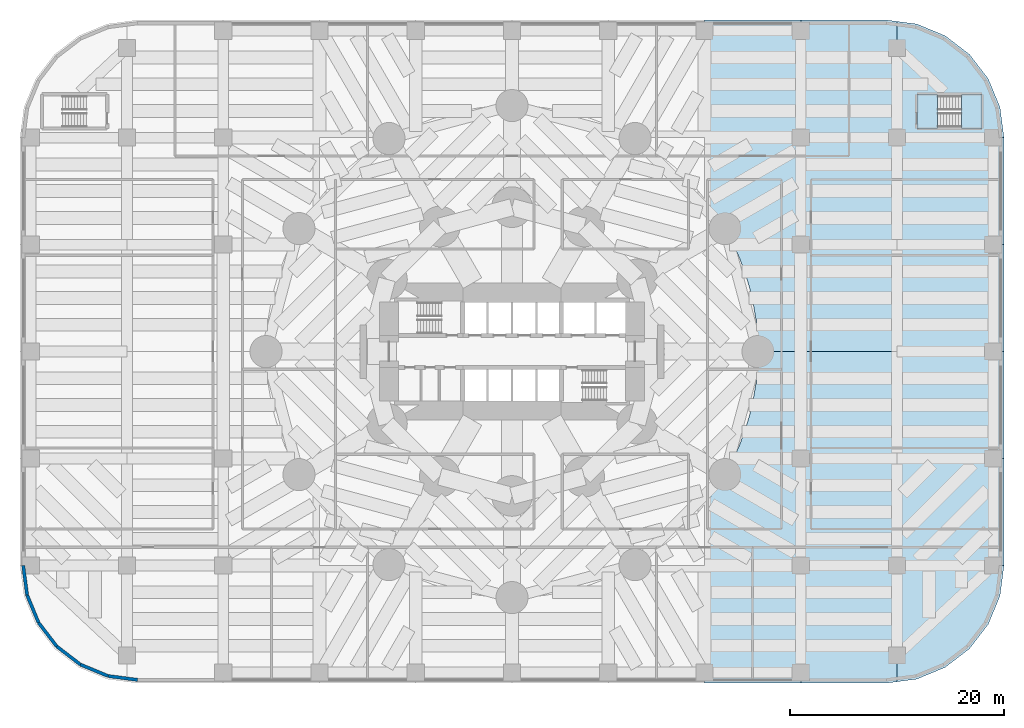
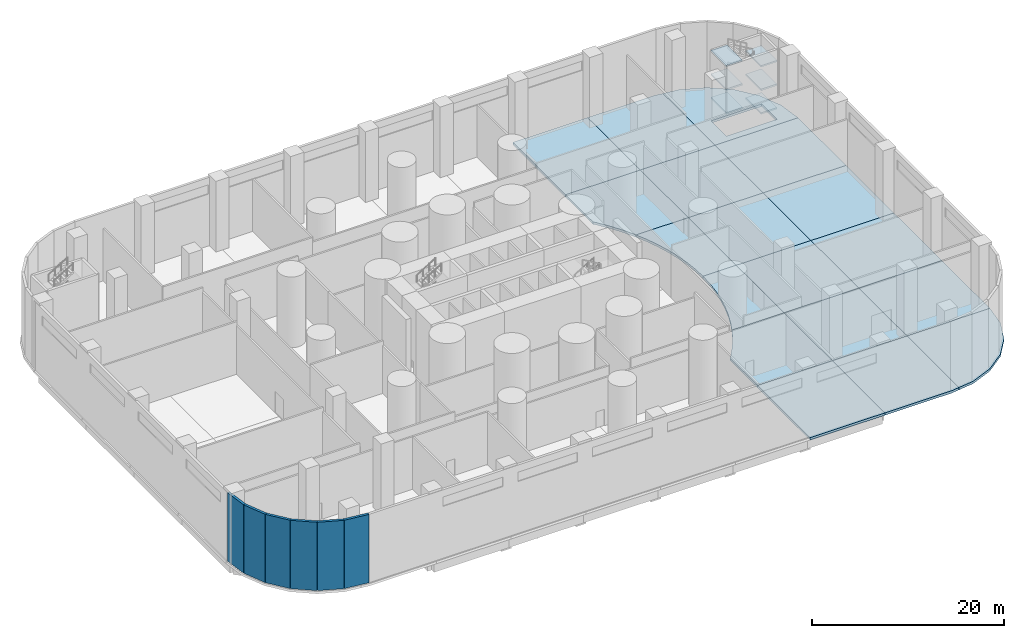
# One storey, part 6 of 13: 24 slabs, 6 walls, 1 element without a shape of its own.
"""IFC4 building model written with IfcOpenShell, lengths in metres."""

from ifc_helpers import new_model, si_unit, direction, frame, frame_2d, origin, place, context, subcontext, project, spatial, polyline, rectangle, outline, extrude, material, layer, layer_set, type_object, element, aggregate, save


model = new_model("IFC4")

# Units and contexts
model_context = context("Model", 3, precision=1e-05, world=origin(), true_north=direction((0.0, 1.0)))
body_context = subcontext(model_context, "Body", "Model", "MODEL_VIEW")
ifc_project = project(units=[si_unit("LENGTHUNIT", "METRE"), si_unit("AREAUNIT", "SQUARE_METRE"), si_unit("VOLUMEUNIT", "CUBIC_METRE"), si_unit("PLANEANGLEUNIT", "RADIAN"), si_unit("MASSUNIT", "GRAM", prefix="KILO")], contexts=[model_context])

# Site, building, storey
site_placement = place(None, origin())
site = spatial("IfcSite", under=ifc_project, at=site_placement, CompositionType="ELEMENT")
building_placement = place(site_placement, origin())
building = spatial("IfcBuilding", under=site, at=building_placement, Name="Qaws Media Tower", CompositionType="ELEMENT")
storey_placement = place(building_placement, frame((0.0, 0.0, 6.0)))
storey = spatial("IfcBuildingStorey", under=building, at=storey_placement, Name="L01", CompositionType="ELEMENT", Elevation=6.0)

# Slabs
ifc_material_1 = material(Name="Concrete C40/50", Category="concrete")
ifc_layer_1 = layer(ifc_material_1, 0.300048828125)
ifc_layer_set_1 = layer_set([ifc_layer_1], Name="Podium slab 300")
slab_type_1 = type_object("IfcSlabType", Name="Podium slab 300", PredefinedType="FLOOR", material=ifc_layer_set_1)
slab_1_placement = place(storey_placement, frame((0.0, 0.0, -0.300048828125)))
element("IfcSlab", 1, at=slab_1_placement, inside=storey, type_object=slab_type_1, Name="S3 slab L01 bay 8-9/A-B", PredefinedType="FLOOR", context=body_context, shape_type="SweptSolid", body=[
    extrude(outline(polyline([(78.0, 19.0), (78.0, 30.0), (87.0, 30.0), (87.0, 19.0), (78.0, 19.0)])), origin(), (0.0, 0.0, 1.0), 0.300048828125),
])
slab_2_placement = place(storey_placement, frame((0.0, 0.0, -0.300048828125)))
element("IfcSlab", 2, at=slab_2_placement, inside=storey, type_object=slab_type_1, Name="S3 slab L01 bay 8-9/B-C", PredefinedType="FLOOR", context=body_context, shape_type="SweptSolid", body=[
    extrude(outline(polyline([(78.2470703125, 35.99853515625), (79.123779296875, 37.221923828125), (79.918701171875, 38.5), (80.628173828125, 39.827392578125), (80.706298828125, 40.0), (87.0, 40.0), (87.0, 30.0), (78.0, 30.0), (78.0, 35.697509765625), (78.2470703125, 35.99853515625)])), origin(), (0.0, 0.0, 1.0), 0.300048828125),
])
slab_3_placement = place(storey_placement, frame((0.0, 0.0, -0.300048828125)))
element("IfcSlab", 3, at=slab_3_placement, inside=storey, type_object=slab_type_1, Name="S3 slab L01 bay 8-9/C-D", PredefinedType="FLOOR", context=body_context, shape_type="SweptSolid", body=[
    extrude(outline(polyline([(81.249267578125, 41.1982421875), (81.779296875, 42.60693359375), (82.21630859375, 44.047119140625), (82.55810546875, 45.512939453125), (82.80322265625, 46.997802734375), (82.95068359375, 48.49560546875), (83.0, 50.0), (87.0, 50.0), (87.0, 40.0), (80.706298828125, 40.0), (81.249267578125, 41.1982421875)])), origin(), (0.0, 0.0, 1.0), 0.300048828125),
])
slab_4_placement = place(storey_placement, frame((0.0, 0.0, -0.300048828125)))
element("IfcSlab", 4, at=slab_4_placement, inside=storey, type_object=slab_type_1, Name="S3 slab L01 bay 8-9/D-E", PredefinedType="FLOOR", context=body_context, shape_type="SweptSolid", body=[
    extrude(outline(polyline([(82.21630859375, 55.952880859375), (81.779296875, 57.39306640625), (81.249267578125, 58.8017578125), (80.706298828125, 60.0), (87.0, 60.0), (87.0, 50.0), (83.0, 50.0), (82.95068359375, 51.50439453125), (82.80322265625, 53.002197265625), (82.55810546875, 54.487060546875), (82.21630859375, 55.952880859375)])), origin(), (0.0, 0.0, 1.0), 0.300048828125),
])
slab_5_placement = place(storey_placement, frame((0.0, 0.0, -0.300048828125)))
element("IfcSlab", 5, at=slab_5_placement, inside=storey, type_object=slab_type_1, Name="S3 slab L01 bay 8-9/E-F", PredefinedType="FLOOR", context=body_context, shape_type="SweptSolid", body=[
    extrude(outline(polyline([(80.628173828125, 60.172607421875), (79.918701171875, 61.5), (79.123779296875, 62.778076171875), (78.2470703125, 64.00146484375), (78.0, 64.302490234375), (78.0, 70.0), (87.0, 70.0), (87.0, 60.0), (80.706298828125, 60.0), (80.628173828125, 60.172607421875)])), origin(), (0.0, 0.0, 1.0), 0.300048828125),
])
slab_6_placement = place(storey_placement, frame((0.0, 0.0, -0.300048828125)))
element("IfcSlab", 6, at=slab_6_placement, inside=storey, type_object=slab_type_1, Name="S3 slab L01 bay 8-9/F-G", PredefinedType="FLOOR", context=body_context, shape_type="SweptSolid", body=[
    extrude(outline(polyline([(87.0, 81.0), (87.0, 70.0), (78.0, 70.0), (78.0, 81.0), (87.0, 81.0)])), origin(), (0.0, 0.0, 1.0), 0.300048828125),
])
slab_7_placement = place(storey_placement, frame((0.0, 0.0, -0.300048828125)))
element("IfcSlab", 7, at=slab_7_placement, inside=storey, type_object=slab_type_1, Name="S3 slab L01 bay 9-10/A-B", PredefinedType="FLOOR", context=body_context, shape_type="SweptSolid", body=[
    extrude(outline(polyline([(95.0, 19.0), (87.0, 19.0), (87.0, 30.0), (96.0, 30.0), (96.0, 19.131591796875), (95.0, 19.0)])), origin(), (0.0, 0.0, 1.0), 0.300048828125),
])
slab_8_placement = place(storey_placement, frame((0.0, 0.0, -0.300048828125)))
element("IfcSlab", 8, at=slab_8_placement, inside=storey, type_object=slab_type_1, Name="S3 slab L01 bay 9-10/B-C", PredefinedType="FLOOR", context=body_context, shape_type="SweptSolid", body=[
    extrude(outline(polyline([(87.0, 30.0), (87.0, 40.0), (96.0, 40.0), (96.0, 30.0), (87.0, 30.0)])), origin(), (0.0, 0.0, 1.0), 0.300048828125),
])
slab_9_placement = place(storey_placement, frame((0.0, 0.0, -0.300048828125)))
element("IfcSlab", 9, at=slab_9_placement, inside=storey, type_object=slab_type_1, Name="S3 slab L01 bay 9-10/C-D", PredefinedType="FLOOR", context=body_context, shape_type="SweptSolid", body=[
    extrude(outline(polyline([(87.0, 40.0), (87.0, 50.0), (96.0, 50.0), (96.0, 40.0), (87.0, 40.0)])), origin(), (0.0, 0.0, 1.0), 0.300048828125),
])
slab_10_placement = place(storey_placement, frame((0.0, 0.0, -0.300048828125)))
element("IfcSlab", 10, at=slab_10_placement, inside=storey, type_object=slab_type_1, Name="S3 slab L01 bay 9-10/D-E", PredefinedType="FLOOR", context=body_context, shape_type="SweptSolid", body=[
    extrude(outline(polyline([(87.0, 50.0), (87.0, 60.0), (96.0, 60.0), (96.0, 50.0), (87.0, 50.0)])), origin(), (0.0, 0.0, 1.0), 0.300048828125),
])
slab_11_placement = place(storey_placement, frame((0.0, 0.0, -0.300048828125)))
element("IfcSlab", 11, at=slab_11_placement, inside=storey, type_object=slab_type_1, Name="S3 slab L01 bay 9-10/E-F", PredefinedType="FLOOR", context=body_context, shape_type="SweptSolid", body=[
    extrude(outline(polyline([(87.0, 60.0), (87.0, 70.0), (96.0, 70.0), (96.0, 60.0), (87.0, 60.0)])), origin(), (0.0, 0.0, 1.0), 0.300048828125),
])
slab_12_placement = place(storey_placement, frame((0.0, 0.0, -0.300048828125)))
element("IfcSlab", 12, at=slab_12_placement, inside=storey, type_object=slab_type_1, Name="S3 slab L01 bay 9-10/F-G", PredefinedType="FLOOR", context=body_context, shape_type="SweptSolid", body=[
    extrude(outline(polyline([(95.0, 81.0), (96.0, 80.868408203125), (96.0, 70.0), (87.0, 70.0), (87.0, 81.0), (95.0, 81.0)])), origin(), (0.0, 0.0, 1.0), 0.300048828125),
])
slab_13_placement = place(storey_placement, frame((0.0, 0.0, -0.300048828125)))
element("IfcSlab", 13, at=slab_13_placement, inside=storey, type_object=slab_type_1, Name="S3 slab L01 bay 10-11/A-B", PredefinedType="FLOOR", context=body_context, shape_type="SweptSolid", body=[
    extrude(outline(polyline([(105.625244140625, 27.153076171875), (104.5263671875, 24.5), (102.7783203125, 22.2216796875), (100.5, 20.4736328125), (97.846923828125, 19.374755859375), (96.0, 19.131591796875), (96.0, 30.0), (106.0, 30.0), (105.625244140625, 27.153076171875)])), origin(), (0.0, 0.0, 1.0), 0.300048828125),
])
slab_14_placement = place(storey_placement, frame((0.0, 0.0, -0.300048828125)))
element("IfcSlab", 14, at=slab_14_placement, inside=storey, type_object=slab_type_1, Name="S3 slab L01 bay 10-11/B-C", PredefinedType="FLOOR", context=body_context, shape_type="SweptSolid", body=[
    extrude(outline(polyline([(106.0, 30.0), (96.0, 30.0), (96.0, 40.0), (106.0, 40.0), (106.0, 30.0)])), origin(), (0.0, 0.0, 1.0), 0.300048828125),
])
slab_15_placement = place(storey_placement, frame((0.0, 0.0, -0.300048828125)))
element("IfcSlab", 15, at=slab_15_placement, inside=storey, type_object=slab_type_1, Name="S3 slab L01 bay 10-11/C-D", PredefinedType="FLOOR", context=body_context, shape_type="SweptSolid", body=[
    extrude(outline(polyline([(106.0, 40.0), (96.0, 40.0), (96.0, 50.0), (106.0, 50.0), (106.0, 40.0)])), origin(), (0.0, 0.0, 1.0), 0.300048828125),
])
slab_16_placement = place(storey_placement, frame((0.0, 0.0, -0.300048828125)))
element("IfcSlab", 16, at=slab_16_placement, inside=storey, type_object=slab_type_1, Name="S3 slab L01 bay 10-11/D-E", PredefinedType="FLOOR", context=body_context, shape_type="SweptSolid", body=[
    extrude(outline(polyline([(106.0, 50.0), (96.0, 50.0), (96.0, 60.0), (106.0, 60.0), (106.0, 50.0)])), origin(), (0.0, 0.0, 1.0), 0.300048828125),
])
slab_17_placement = place(storey_placement, frame((0.0, 0.0, -0.300048828125)))
element("IfcSlab", 17, at=slab_17_placement, inside=storey, type_object=slab_type_1, Name="S3 slab L01 bay 10-11/E-F", PredefinedType="FLOOR", context=body_context, shape_type="SweptSolid", body=[
    extrude(outline(polyline([(106.0, 60.0), (96.0, 60.0), (96.0, 70.0), (106.0, 70.0), (106.0, 60.0)])), origin(), (0.0, 0.0, 1.0), 0.300048828125),
])
slab_18_placement = place(storey_placement, frame((0.0, 0.0, -0.300048828125)))
element("IfcSlab", 18, at=slab_18_placement, inside=storey, type_object=slab_type_1, Name="S3 slab L01 bay 10-11/F-G", PredefinedType="FLOOR", context=body_context, shape_type="SweptSolid", body=[
    extrude(outline(polyline([(97.846923828125, 80.625244140625), (100.5, 79.5263671875), (102.7783203125, 77.7783203125), (104.5263671875, 75.5), (105.625244140625, 72.846923828125), (106.0, 70.0), (96.0, 70.0), (96.0, 80.868408203125), (97.846923828125, 80.625244140625)]), holes=[polyline([(97.85009765625, 74.050048828125), (97.85009765625, 70.85009765625), (103.949951171875, 70.85009765625), (103.949951171875, 74.050048828125), (97.85009765625, 74.050048828125)])]), origin(), (0.0, 0.0, 1.0), 0.300048828125),
])

# Stair, slabs
ifc_material_2 = material(Name="Concrete C40/50", Category="concrete")
stair_type = type_object("IfcStairType", Name="Exit stair", PredefinedType="HALF_TURN_STAIR", material=ifc_material_2)
stair_placement = place(storey_placement, origin())
stair = element("IfcStair", 19, at=stair_placement, inside=storey, type_object=stair_type, Name="S4 exit stair L01", PredefinedType="HALF_TURN_STAIR")
ifc_material_3 = material(Name="Concrete C40/50", Category="concrete")
ifc_layer_2 = layer(ifc_material_3, 0.199951171875)
ifc_layer_set_2 = layer_set([ifc_layer_2], Name="Stair landing 200")
slab_type_2 = type_object("IfcSlabType", Name="Stair landing 200", PredefinedType="LANDING", material=ifc_layer_set_2)
slab_19_placement = place(storey_placement, frame((0.0, 0.0, 1.300048828125)))
slab_19 = element("IfcSlab", 20, at=slab_19_placement, type_object=slab_type_2, Name="S4 landing 1", PredefinedType="LANDING", context=body_context, shape_type="SweptSolid", body=[
    extrude(outline(polyline([(102.02001953125, 70.85009765625), (103.949951171875, 70.85009765625), (103.949951171875, 74.050048828125), (102.02001953125, 74.050048828125), (102.02001953125, 70.85009765625)])), origin(), (0.0, 0.0, 1.0), 0.199951171875),
])
slab_20_placement = place(storey_placement, frame((0.0, 0.0, 2.800048828125)))
slab_20 = element("IfcSlab", 21, at=slab_20_placement, type_object=slab_type_2, Name="S4 landing 2", PredefinedType="LANDING", context=body_context, shape_type="SweptSolid", body=[
    extrude(outline(polyline([(97.85009765625, 70.85009765625), (99.780029296875, 70.85009765625), (99.780029296875, 74.050048828125), (97.85009765625, 74.050048828125), (97.85009765625, 70.85009765625)])), origin(), (0.0, 0.0, 1.0), 0.199951171875),
])
slab_21_placement = place(storey_placement, frame((0.0, 0.0, 4.300048828125)))
slab_21 = element("IfcSlab", 22, at=slab_21_placement, type_object=slab_type_2, Name="S4 landing 3", PredefinedType="LANDING", context=body_context, shape_type="SweptSolid", body=[
    extrude(outline(polyline([(102.02001953125, 70.85009765625), (103.949951171875, 70.85009765625), (103.949951171875, 74.050048828125), (102.02001953125, 74.050048828125), (102.02001953125, 70.85009765625)])), origin(), (0.0, 0.0, 1.0), 0.199951171875),
])
slab_22_placement = place(storey_placement, frame((0.0, 0.0, 5.800048828125)))
slab_22 = element("IfcSlab", 23, at=slab_22_placement, type_object=slab_type_2, Name="S4 landing 4", PredefinedType="LANDING", context=body_context, shape_type="SweptSolid", body=[
    extrude(outline(polyline([(97.85009765625, 70.85009765625), (99.780029296875, 70.85009765625), (99.780029296875, 74.050048828125), (97.85009765625, 74.050048828125), (97.85009765625, 70.85009765625)])), origin(), (0.0, 0.0, 1.0), 0.199951171875),
])
slab_23_placement = place(storey_placement, frame((0.0, 0.0, 7.300048828125)))
slab_23 = element("IfcSlab", 24, at=slab_23_placement, type_object=slab_type_2, Name="S4 landing 5", PredefinedType="LANDING", context=body_context, shape_type="SweptSolid", body=[
    extrude(outline(polyline([(102.02001953125, 70.85009765625), (103.949951171875, 70.85009765625), (103.949951171875, 74.050048828125), (102.02001953125, 74.050048828125), (102.02001953125, 70.85009765625)])), origin(), (0.0, 0.0, 1.0), 0.199951171875),
])
slab_24_placement = place(storey_placement, frame((0.0, 0.0, 8.800048828125)))
slab_24 = element("IfcSlab", 25, at=slab_24_placement, type_object=slab_type_2, Name="S4 landing 6", PredefinedType="LANDING", context=body_context, shape_type="SweptSolid", body=[
    extrude(outline(polyline([(97.85009765625, 70.85009765625), (99.780029296875, 70.85009765625), (99.780029296875, 74.050048828125), (97.85009765625, 74.050048828125), (97.85009765625, 70.85009765625)])), origin(), (0.0, 0.0, 1.0), 0.199951171875),
])
aggregate(stair, [slab_19, slab_20, slab_21, slab_22, slab_23, slab_24])

# Walls
ifc_material_4 = material(Name="Precast concrete, exposed finish", Category="concrete")
ifc_layer_3 = layer(ifc_material_4, 0.300048828125)
ifc_layer_set_3 = layer_set([ifc_layer_3], Name="Podium facade wall 300")
wall_type = type_object("IfcWallType", Name="Podium facade wall 300", PredefinedType="SOLIDWALL", material=ifc_layer_set_3)
wall_1_placement = place(storey_placement, frame((14.300048828125, 30.0, 0.0), z_axis=(0.0, 0.0, 1.0), x_axis=(0.130497471798, -0.991448642066, 0.0)))
element("IfcWall", 26, at=wall_1_placement, inside=storey, type_object=wall_type, Name="W763 EW2 podium wall L01-22", PredefinedType="SOLIDWALL", context=body_context, shape_type="SweptSolid", body=[
    extrude(rectangle(XDim=2.793212890625, YDim=0.300048828125, at=frame_2d((1.396484375, 0.0))), origin(), (0.0, 0.0, 1.0), 8.699951171875),
])
wall_2_placement = place(storey_placement, frame((14.66455078125, 27.230712890625, 0.0), z_axis=(0.0, 0.0, 1.0), x_axis=(0.382709424419, -0.923868765822, 0.0)))
element("IfcWall", 27, at=wall_2_placement, inside=storey, type_object=wall_type, Name="W765 EW2 podium wall L01-23", PredefinedType="SOLIDWALL", context=body_context, shape_type="SweptSolid", body=[
    extrude(rectangle(XDim=2.79345703125, YDim=0.300048828125, at=frame_2d((1.396728515625, 0.0))), origin(), (0.0, 0.0, 1.0), 8.699951171875),
])
for number, where, z_axis, x_axis, name in (
    (28, (15.733642578125, 24.64990234375, 0.0), (0.0, 0.0, 1.0), (0.608704923183, -0.793396695539, 0.0), "W767 EW2 podium wall L01-24"),
    (29, (17.433837890625, 22.433837890625, 0.0), (0.0, 0.0, 1.0), (0.793396695539, -0.608704923183, 0.0), "W769 EW2 podium wall L01-25"),
):
    element("IfcWall", number, at=place(storey_placement, frame(where, z_axis=z_axis, x_axis=x_axis)), inside=storey, type_object=wall_type, Name=name, PredefinedType="SOLIDWALL", context=body_context, shape_type="SweptSolid", body=[
        extrude(rectangle(XDim=2.793212890625, YDim=0.300048828125, at=frame_2d((1.396484375, 0.0))), origin(), (0.0, 0.0, 1.0), 8.699951171875),
    ])
wall_3_placement = place(storey_placement, frame((19.64990234375, 20.733642578125, 0.0), z_axis=(0.0, 0.0, 1.0), x_axis=(0.923868765822, -0.382709424419, 0.0)))
element("IfcWall", 30, at=wall_3_placement, inside=storey, type_object=wall_type, Name="W771 EW2 podium wall L01-26", PredefinedType="SOLIDWALL", context=body_context, shape_type="SweptSolid", body=[
    extrude(rectangle(XDim=2.79345703125, YDim=0.300048828125, at=frame_2d((1.396728515625, 0.0))), origin(), (0.0, 0.0, 1.0), 8.699951171875),
])
wall_4_placement = place(storey_placement, frame((22.230712890625, 19.66455078125, 0.0), z_axis=(0.0, 0.0, 1.0), x_axis=(0.991448642066, -0.130497471798, 0.0)))
element("IfcWall", 31, at=wall_4_placement, inside=storey, type_object=wall_type, Name="W773 EW2 podium wall L01-27", PredefinedType="SOLIDWALL", context=body_context, shape_type="SweptSolid", body=[
    extrude(rectangle(XDim=2.793212890625, YDim=0.300048828125, at=frame_2d((1.396484375, 0.0))), origin(), (0.0, 0.0, 1.0), 8.699951171875),
])

save(model, "model.ifc")
